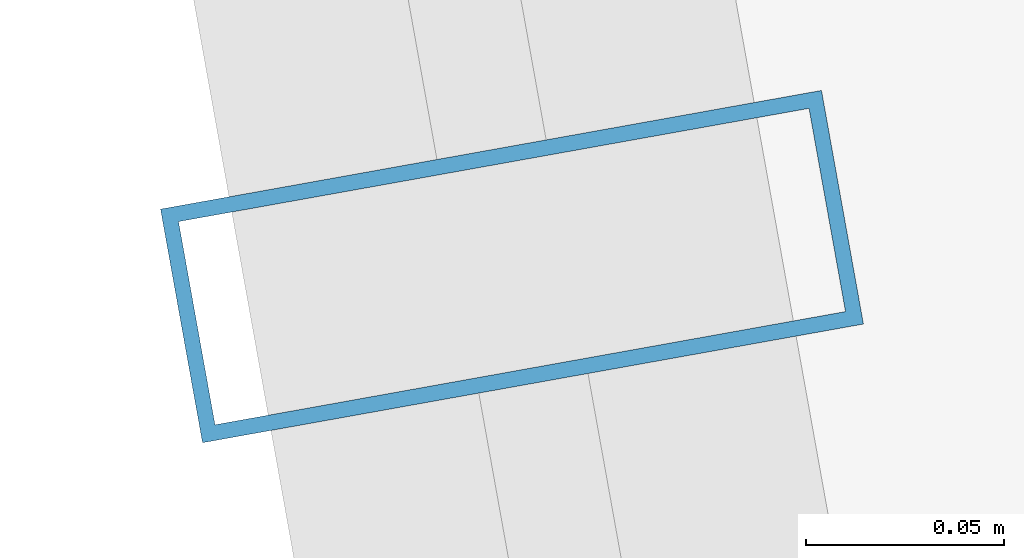
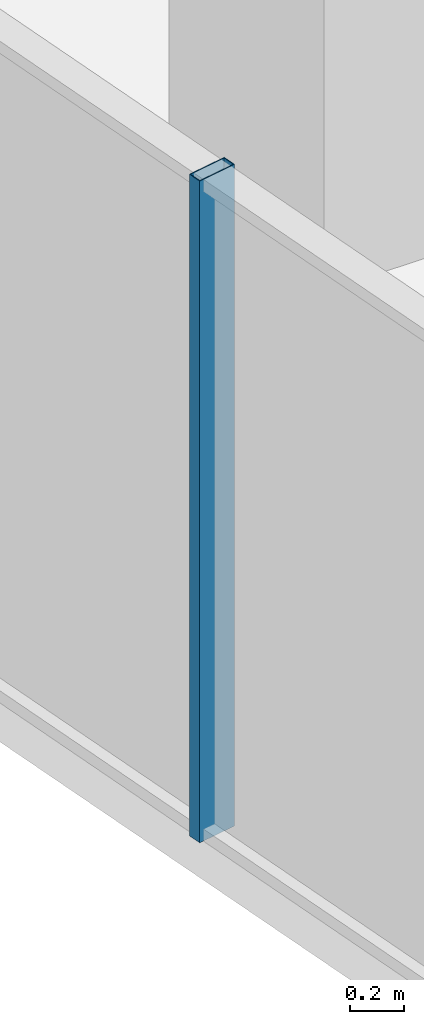
# One storey, part 9 of 36: 1 member, 1 element without a shape of its own.
"""IFC4 building model written with IfcOpenShell, lengths in metres."""

from ifc_helpers import new_model, si_unit, direction, frame, origin, origin_2d, place, context, subcontext, project, spatial, hollow_rectangle, extrude, source, transform, mapped, material, layer, layer_set, material_profile, profile_set, type_object, element, aggregate, save


model = new_model("IFC4")

# Units and contexts
model_context = context("Model", 3, precision=1e-05, world=origin(), true_north=direction((0.0, 1.0)))
body_context = subcontext(model_context, "Body", "Model", "MODEL_VIEW")
ifc_project = project(units=[si_unit("LENGTHUNIT", "METRE"), si_unit("AREAUNIT", "SQUARE_METRE"), si_unit("VOLUMEUNIT", "CUBIC_METRE"), si_unit("PLANEANGLEUNIT", "RADIAN"), si_unit("MASSUNIT", "GRAM", prefix="KILO")], contexts=[model_context])

# Site, building, storey
site_placement = place(None, origin())
site = spatial("IfcSite", under=ifc_project, at=site_placement, CompositionType="ELEMENT")
building_placement = place(site_placement, origin())
building = spatial("IfcBuilding", under=site, at=building_placement, Name="Veraguas Prism Commons", CompositionType="ELEMENT")
storey_placement = place(building_placement, frame((0.0, 0.0, 163.050048828125)))
storey = spatial("IfcBuildingStorey", under=building, at=storey_placement, Name="L46", CompositionType="ELEMENT", Elevation=163.050048828125)

# Curtain wall, member
ifc_material = material(Name="Anodised aluminium EN AW-6063 T6", Category="aluminium")
ifc_layer = layer(ifc_material, 0.169921875, Name="Unitised Flush Curtain Wall Zone 2", Category="aluminium")
ifc_layer_set = layer_set([ifc_layer], Name="Anodised aluminium EN AW-6063 T6")
curtain_wall_type = type_object("IfcCurtainWallType", Name="Unitised Flush Curtain Wall Zone 2", PredefinedType="NOTDEFINED", material=ifc_layer_set)
curtain_wall_placement = place(storey_placement, origin())
curtain_wall = element("IfcCurtainWall", 1, at=curtain_wall_placement, inside=storey, type_object=curtain_wall_type, Name="Tower Facade Curtain Wall L46-F3", PredefinedType="NOTDEFINED")
ifc_material_profile = material_profile(ifc_material, hollow_rectangle(XDim=0.06005859375, YDim=0.169921875, WallThickness=0.00390625, at=origin_2d()), Name="AL60X170X4")
ifc_profile_set = profile_set([ifc_material_profile], Name="Anodised aluminium EN AW-6063 T6")
member_type = type_object("IfcMemberType", Name="Curtain Wall Mullion Lower AL 60x170x4", PredefinedType="MULLION", material=ifc_profile_set)
shared_shape = source(origin(), body_context, "Body", "SweptSolid", [
    extrude(hollow_rectangle(XDim=0.06005859375, YDim=0.169921875, WallThickness=0.00390625, at=origin_2d()), origin(), (0.0, 0.0, 1.0), 3.0),
])
member_placement = place(storey_placement, frame((5.119384765625, 20.609619140625, 0.0), z_axis=(0.0, 0.0, 1.0), x_axis=(0.176741180461, -0.984257362243, 0.0)))
member = element("IfcMember", 2, at=member_placement, type_object=member_type, Name="CW-Z2 Mullion 3", PredefinedType="MULLION", context=body_context, shape_type="MappedRepresentation", body=[
    mapped(shared_shape, transform((0.0, 0.0, 0.0), scale=1.0)),
])
aggregate(curtain_wall, [member])

save(model, "model.ifc")
